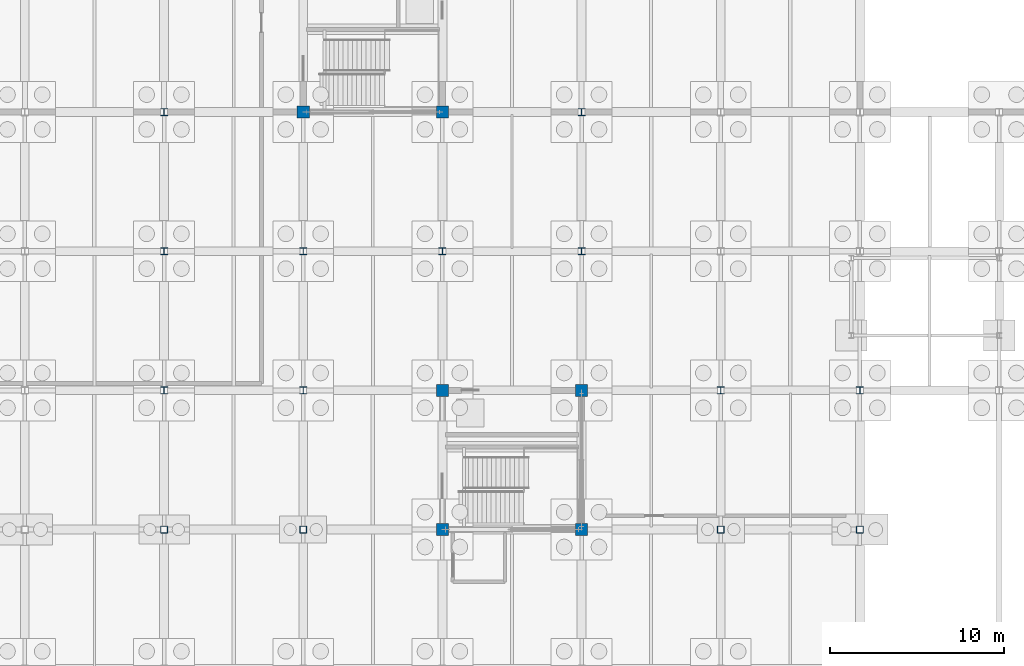
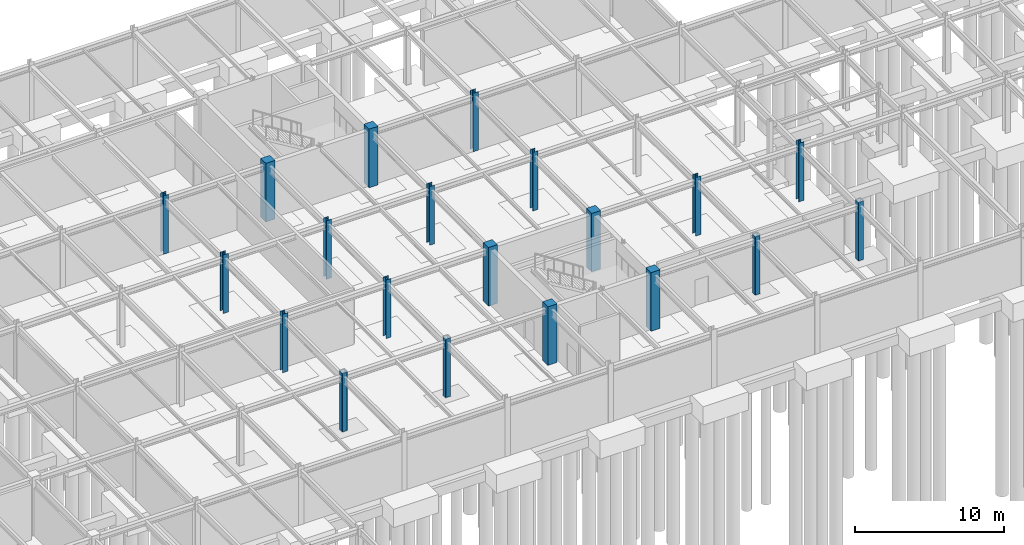
# One storey, part 25 of 72: 20 columns.
"""IFC4 building model written with IfcOpenShell, lengths in metres."""

from ifc_helpers import new_model, si_unit, direction, frame, origin, origin_2d, place, context, subcontext, project, spatial, rectangle, hollow_rectangle, i_section, extrude, material, material_profile, profile_set, type_object, element, save


model = new_model("IFC4")

# Units and contexts
model_context = context("Model", 3, precision=1e-05, world=origin(), true_north=direction((0.0, 1.0)))
body_context = subcontext(model_context, "Body", "Model", "MODEL_VIEW")
ifc_project = project(units=[si_unit("LENGTHUNIT", "METRE"), si_unit("AREAUNIT", "SQUARE_METRE"), si_unit("VOLUMEUNIT", "CUBIC_METRE"), si_unit("PLANEANGLEUNIT", "RADIAN"), si_unit("MASSUNIT", "GRAM", prefix="KILO")], contexts=[model_context])

# Site, building, storey
site_placement = place(None, origin())
site = spatial("IfcSite", under=ifc_project, at=site_placement, CompositionType="ELEMENT")
building_placement = place(site_placement, origin())
building = spatial("IfcBuilding", under=site, at=building_placement, Name="Zhaolan Boulevard Law Courts", CompositionType="ELEMENT")
storey_placement = place(building_placement, frame((0.0, 0.0, -4.800048828125)))
storey = spatial("IfcBuildingStorey", under=building, at=storey_placement, Name="B1", CompositionType="ELEMENT", Elevation=-4.800048828125)

# Columns
ifc_material_1 = material(Name="Structural steel Q355B", Category="steel")
ifc_material_profile_1 = material_profile(ifc_material_1, hollow_rectangle(XDim=0.39990234375, YDim=0.39990234375, WallThickness=0.01611328125, InnerFilletRadius=0.01611328125, OuterFilletRadius=0.031982421875, at=origin_2d()), Name="BOX400x400x16")
ifc_profile_set_1 = profile_set([ifc_material_profile_1], Name="Structural steel Q355B")
column_type_1 = type_object("IfcColumnType", Name="COL BOX400", PredefinedType="COLUMN", material=ifc_profile_set_1)
for number, where, z_axis, x_axis, name in (
    (1, (68.0, 70.0, 0.0), (0.0, 0.0, 1.0), (1.0, 0.0, 0.0), "Column C-9K (B1)"),
    (2, (76.0, 70.0, 0.0), (0.0, 0.0, 1.0), (1.0, 0.0, 0.0), "Column C-10K (B1)"),
    (3, (100.0, 70.0, 0.0), (0.0, 0.0, 1.0), (1.0, 0.0, 0.0), "Column C-13K (B1)"),
    (4, (108.0, 70.0, 0.0), (0.0, 0.0, 1.0), (1.0, 0.0, 0.0), "Column C-14K (B1)"),
):
    element("IfcColumn", number, at=place(storey_placement, frame(where, z_axis=z_axis, x_axis=x_axis)), inside=storey, type_object=column_type_1, Name=name, PredefinedType="COLUMN", context=body_context, shape_type="SweptSolid", body=[
        extrude(hollow_rectangle(XDim=0.39990234375, YDim=0.39990234375, WallThickness=0.01611328125, InnerFilletRadius=0.01611328125, OuterFilletRadius=0.031982421875, at=origin_2d()), origin(), (0.0, 0.0, 1.0), 4.800048828125),
    ])
ifc_material_2 = material(Name="Structural steel Q390B", Category="steel")
ifc_material_profile_2 = material_profile(ifc_material_2, i_section(OverallWidth=0.39990234375, OverallDepth=0.39990234375, WebThickness=0.012939453125, FlangeThickness=0.02099609375, FilletRadius=0.02197265625, at=origin_2d()), Name="HW400x400")
ifc_profile_set_2 = profile_set([ifc_material_profile_2], Name="Structural steel Q390B")
column_type_2 = type_object("IfcColumnType", Name="COL HW400", PredefinedType="COLUMN", material=ifc_profile_set_2)
for number, where, z_axis, x_axis, name in (
    (5, (68.0, 78.0, 0.0), (0.0, 0.0, 1.0), (1.0, 0.0, 0.0), "Column C-9L (B1)"),
    (6, (68.0, 86.0, 0.0), (0.0, 0.0, 1.0), (1.0, 0.0, 0.0), "Column C-9M (B1)"),
    (7, (68.0, 94.0, 0.0), (0.0, 0.0, 1.0), (1.0, 0.0, 0.0), "Column C-9N (B1)"),
    (8, (76.0, 78.0, 0.0), (0.0, 0.0, 1.0), (1.0, 0.0, 0.0), "Column C-10L (B1)"),
    (9, (76.0, 86.0, 0.0), (0.0, 0.0, 1.0), (1.0, 0.0, 0.0), "Column C-10M (B1)"),
    (10, (84.0, 86.0, 0.0), (0.0, 0.0, 1.0), (1.0, 0.0, 0.0), "Column C-11M (B1)"),
    (11, (92.0, 86.0, 0.0), (0.0, 0.0, 1.0), (1.0, 0.0, 0.0), "Column C-12M (B1)"),
    (12, (92.0, 94.0, 0.0), (0.0, 0.0, 1.0), (1.0, 0.0, 0.0), "Column C-12N (B1)"),
    (13, (100.0, 78.0, 0.0), (0.0, 0.0, 1.0), (1.0, 0.0, 0.0), "Column C-13L (B1)"),
    (14, (108.0, 78.0, 0.0), (0.0, 0.0, 1.0), (1.0, 0.0, 0.0), "Column C-14L (B1)"),
):
    element("IfcColumn", number, at=place(storey_placement, frame(where, z_axis=z_axis, x_axis=x_axis)), inside=storey, type_object=column_type_2, Name=name, PredefinedType="COLUMN", context=body_context, shape_type="SweptSolid", body=[
        extrude(i_section(OverallWidth=0.39990234375, OverallDepth=0.39990234375, WebThickness=0.012939453125, FlangeThickness=0.02099609375, FilletRadius=0.02197265625, at=origin_2d()), origin(), (0.0, 0.0, 1.0), 4.800048828125),
    ])
ifc_material_3 = material(Name="Concrete C50", Category="concrete")
ifc_material_profile_3 = material_profile(ifc_material_3, rectangle(XDim=0.699951171875, YDim=0.699951171875, at=origin_2d()), Name="RC700x700")
ifc_profile_set_3 = profile_set([ifc_material_profile_3], Name="Concrete C50")
column_type_3 = type_object("IfcColumnType", Name="COL RC700", PredefinedType="COLUMN", material=ifc_profile_set_3)
for number, where, z_axis, x_axis, name in (
    (15, (76.0, 94.0, 0.0), (0.0, 0.0, 1.0), (1.0, 0.0, 0.0), "Column C-10N (B1)"),
    (16, (84.0, 70.0, 0.0), (0.0, 0.0, 1.0), (1.0, 0.0, 0.0), "Column C-11K (B1)"),
    (17, (84.0, 78.0, 0.0), (0.0, 0.0, 1.0), (1.0, 0.0, 0.0), "Column C-11L (B1)"),
    (18, (84.0, 94.0, 0.0), (0.0, 0.0, 1.0), (1.0, 0.0, 0.0), "Column C-11N (B1)"),
    (19, (92.0, 70.0, 0.0), (0.0, 0.0, 1.0), (1.0, 0.0, 0.0), "Column C-12K (B1)"),
    (20, (92.0, 78.0, 0.0), (0.0, 0.0, 1.0), (1.0, 0.0, 0.0), "Column C-12L (B1)"),
):
    element("IfcColumn", number, at=place(storey_placement, frame(where, z_axis=z_axis, x_axis=x_axis)), inside=storey, type_object=column_type_3, Name=name, PredefinedType="COLUMN", context=body_context, shape_type="SweptSolid", body=[
        extrude(rectangle(XDim=0.699951171875, YDim=0.699951171875, at=origin_2d()), origin(), (0.0, 0.0, 1.0), 4.800048828125),
    ])

save(model, "model.ifc")
